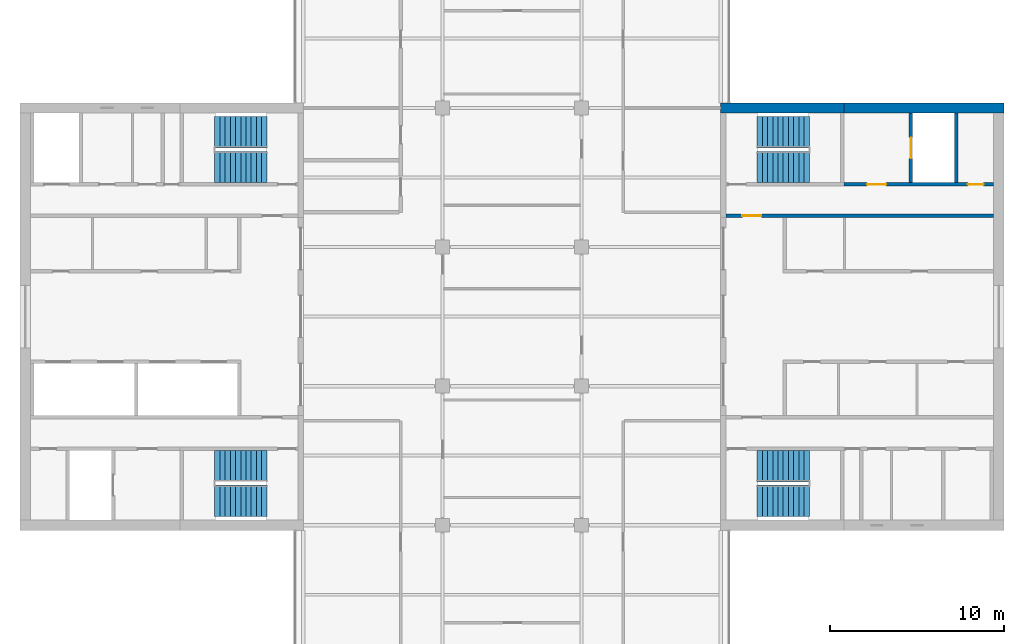
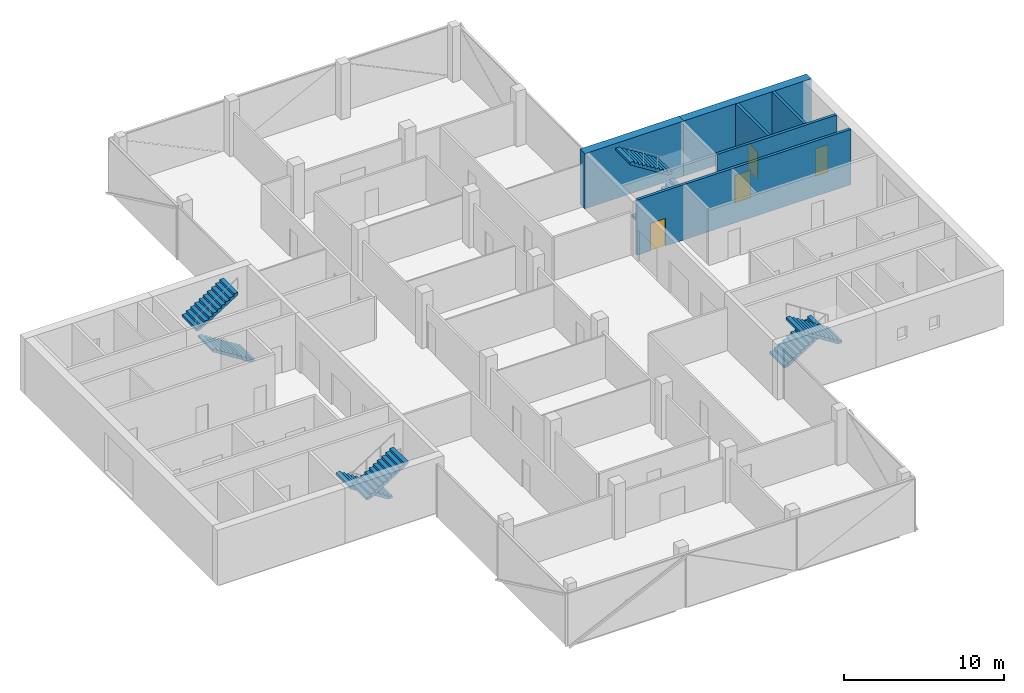
# One storey, part 12 of 15: 8 stair flights, 6 walls, 4 doors, 4 openings, 4 elements without a shape of their own.
"""IFC4 building model written with IfcOpenShell, lengths in metres."""

from ifc_helpers import new_model, si_unit, direction, frame, frame_2d, origin, place, context, subcontext, project, spatial, polyline, rectangle, outline, extrude, material, layer, layer_set, constituent, constituent_set, type_object, element, fill, aggregate, save


model = new_model("IFC4")

# Units and contexts
model_context = context("Model", 3, precision=1e-05, world=origin(), true_north=direction((0.0, 1.0)))
body_context = subcontext(model_context, "Body", "Model", "MODEL_VIEW")
ifc_project = project(units=[si_unit("LENGTHUNIT", "METRE"), si_unit("AREAUNIT", "SQUARE_METRE"), si_unit("VOLUMEUNIT", "CUBIC_METRE"), si_unit("PLANEANGLEUNIT", "RADIAN"), si_unit("MASSUNIT", "GRAM", prefix="KILO")], contexts=[model_context])

# Site, building, storey
site_placement = place(None, origin())
site = spatial("IfcSite", under=ifc_project, at=site_placement, CompositionType="ELEMENT")
building_placement = place(site_placement, origin())
building = spatial("IfcBuilding", under=site, at=building_placement, Name="Crosswind Convention Tower", CompositionType="ELEMENT")
storey_placement = place(building_placement, frame((0.0, 0.0, 233.5)))
storey = spatial("IfcBuildingStorey", under=building, at=storey_placement, Name="L50", CompositionType="ELEMENT", Elevation=233.5)

# Wall, opening, door
ifc_material_1 = material(Name="Concrete C50/60", Category="concrete")
ifc_layer = layer(ifc_material_1, 0.199951171875)
ifc_layer_set = layer_set([ifc_layer], Name="Concrete C50/60")
wall_type_1 = type_object("IfcWallType", Name="Concrete shaft and stair wall 200", PredefinedType="SHEAR", material=ifc_layer_set)
wall_1_placement = place(storey_placement, frame((137.300048828125, 105.800048828125, 0.0), z_axis=(0.0, 0.0, 1.0), x_axis=(1.0, 0.0, 0.0)))
wall_1 = element("IfcWall", 1, at=wall_1_placement, inside=storey, type_object=wall_type_1, Name="Wall HP E L50", PredefinedType="SHEAR", context=body_context, shape_type="SweptSolid", body=[
    extrude(rectangle(XDim=15.39990234375, YDim=0.199951171875, at=frame_2d((7.699951171875, 0.0))), origin(), (0.0, 0.0, 1.0), 4.199951171875),
])
opening_1_placement = place(wall_1_placement, frame((0.949951171875, 0.0, 0.0)))
opening_1 = element("IfcOpeningElement", 2, at=opening_1_placement, cuts=wall_1, Name="Opening D104", PredefinedType="OPENING", context=body_context, shape_type="SweptSolid", body=[
    extrude(rectangle(XDim=1.10009765625, YDim=2.10009765625, at=frame_2d((0.550048828125, 1.050048828125))), frame((0.0, 0.10986328125, 0.0), z_axis=(0.0, -1.0, 0.0), x_axis=(1.0, 0.0, 0.0)), (0.0, 0.0, 1.0), 0.219970703125),
])
ifc_material_2 = material(Name="Steel fire door", Category="steel")
door_type_1 = type_object("IfcDoorType", Name="Fire-rated single door 1100x2100", OperationType="NOTDEFINED", PredefinedType="DOOR", material=ifc_material_2)
door_1_placement = place(opening_1_placement, origin())
door_1 = element("IfcDoor", 3, at=door_1_placement, inside=storey, type_object=door_type_1, Name="Corridor door L50", ObjectType="D104", OperationType="SINGLE_SWING_LEFT", OverallHeight=2.10009765625, OverallWidth=1.10009765625, PredefinedType="DOOR", context=body_context, shape_type="SweptSolid", body=[
    extrude(rectangle(XDim=1.10009765625, YDim=2.10009765625, at=frame_2d((0.550048828125, 1.050048828125))), frame((0.0, 0.02490234375, 0.0), z_axis=(0.0, -1.0, 0.0), x_axis=(1.0, 0.0, 0.0)), (0.0, 0.0, 1.0), 0.050048828125),
])
fill(opening_1, door_1)

wall_2_placement = place(storey_placement, frame((147.949951171875, 107.699951171875, 0.0), z_axis=(0.0, 0.0, 1.0), x_axis=(0.0, 1.0, 0.0)))
wall_2 = element("IfcWall", 4, at=wall_2_placement, inside=storey, type_object=wall_type_1, Name="Wall PFLW E L50", PredefinedType="SHEAR", context=body_context, shape_type="SweptSolid", body=[
    extrude(rectangle(XDim=4.0, YDim=0.199951171875, at=frame_2d((2.0, 0.0))), origin(), (0.0, 0.0, 1.0), 4.199951171875),
])
opening_2_placement = place(wall_2_placement, frame((1.39990234375, 0.0, 0.0)))
opening_2 = element("IfcOpeningElement", 5, at=opening_2_placement, cuts=wall_2, Name="Opening LD1", PredefinedType="OPENING", context=body_context, shape_type="SweptSolid", body=[
    extrude(rectangle(XDim=1.199951171875, YDim=2.10009765625, at=frame_2d((0.60009765625, 1.050048828125))), frame((0.0, 0.10986328125, 0.0), z_axis=(0.0, -1.0, 0.0), x_axis=(1.0, 0.0, 0.0)), (0.0, 0.0, 1.0), 0.219970703125),
])
ifc_material_3 = material(Name="Stainless steel", Category="steel")
door_type_2 = type_object("IfcDoorType", Name="Lift landing door 1200x2100", OperationType="DOUBLE_DOOR_SLIDING", PredefinedType="DOOR", material=ifc_material_3)
door_2_placement = place(opening_2_placement, origin())
door_2 = element("IfcDoor", 6, at=door_2_placement, inside=storey, type_object=door_type_2, Name="Landing door FF1 L50", ObjectType="LD1", OperationType="DOUBLE_DOOR_SLIDING", OverallHeight=2.10009765625, OverallWidth=1.199951171875, PredefinedType="DOOR", context=body_context, shape_type="SweptSolid", body=[
    extrude(rectangle(XDim=1.199951171875, YDim=2.10009765625, at=frame_2d((0.60009765625, 1.050048828125))), frame((0.0, 0.02490234375, 0.0), z_axis=(0.0, -1.0, 0.0), x_axis=(1.0, 0.0, 0.0)), (0.0, 0.0, 1.0), 0.050048828125),
])
fill(opening_2, door_2)

# Wall
wall_3_placement = place(storey_placement, frame((150.550048828125, 107.699951171875, 0.0), z_axis=(0.0, 0.0, 1.0), x_axis=(0.0, 1.0, 0.0)))
element("IfcWall", 7, at=wall_3_placement, inside=storey, type_object=wall_type_1, Name="Wall PFSE E L50", PredefinedType="SHEAR", context=body_context, shape_type="SweptSolid", body=[
    extrude(rectangle(XDim=4.0, YDim=0.199951171875, at=frame_2d((2.0, 0.0))), origin(), (0.0, 0.0, 1.0), 4.199951171875),
])

# Wall, openings, doors
wall_4_placement = place(storey_placement, frame((144.10009765625, 107.60009765625, 0.0), z_axis=(0.0, 0.0, 1.0), x_axis=(1.0, 0.0, 0.0)))
wall_4 = element("IfcWall", 8, at=wall_4_placement, inside=storey, type_object=wall_type_1, Name="Wall PCX E L50", PredefinedType="SHEAR", context=body_context, shape_type="SweptSolid", body=[
    extrude(rectangle(XDim=8.599853515625, YDim=0.199951171875, at=frame_2d((4.2998046875, 0.0))), origin(), (0.0, 0.0, 1.0), 4.199951171875),
])
opening_3_placement = place(wall_4_placement, frame((1.324951171875, 0.0, 0.0)))
opening_3 = element("IfcOpeningElement", 9, at=opening_3_placement, cuts=wall_4, Name="Opening D104", PredefinedType="OPENING", context=body_context, shape_type="SweptSolid", body=[
    extrude(rectangle(XDim=1.10009765625, YDim=2.10009765625, at=frame_2d((0.550048828125, 1.050048828125))), frame((0.0, 0.10986328125, 0.0), z_axis=(0.0, -1.0, 0.0), x_axis=(1.0, 0.0, 0.0)), (0.0, 0.0, 1.0), 0.219970703125),
])
opening_4_placement = place(wall_4_placement, frame((7.125, 0.0, 0.0)))
opening_4 = element("IfcOpeningElement", 10, at=opening_4_placement, cuts=wall_4, Name="Opening D106", PredefinedType="OPENING", context=body_context, shape_type="SweptSolid", body=[
    extrude(rectangle(XDim=0.89990234375, YDim=2.10009765625, at=frame_2d((0.449951171875, 1.050048828125))), frame((0.0, 0.10986328125, 0.0), z_axis=(0.0, -1.0, 0.0), x_axis=(1.0, 0.0, 0.0)), (0.0, 0.0, 1.0), 0.219970703125),
])
door_3_placement = place(opening_3_placement, origin())
door_3 = element("IfcDoor", 11, at=door_3_placement, inside=storey, type_object=door_type_1, Name="Fire-fighting lobby FF1 door L50", ObjectType="D104", OperationType="SINGLE_SWING_RIGHT", OverallHeight=2.10009765625, OverallWidth=1.10009765625, PredefinedType="DOOR", context=body_context, shape_type="SweptSolid", body=[
    extrude(rectangle(XDim=1.10009765625, YDim=2.10009765625, at=frame_2d((0.550048828125, 1.050048828125))), frame((0.0, 0.02490234375, 0.0), z_axis=(0.0, -1.0, 0.0), x_axis=(1.0, 0.0, 0.0)), (0.0, 0.0, 1.0), 0.050048828125),
])
fill(opening_3, door_3)
ifc_material_4 = material(Name="Timber door", Category="wood")
door_type_3 = type_object("IfcDoorType", Name="Single leaf door 900x2100", OperationType="NOTDEFINED", PredefinedType="DOOR", material=ifc_material_4)
door_4_placement = place(opening_4_placement, origin())
door_4 = element("IfcDoor", 12, at=door_4_placement, inside=storey, type_object=door_type_3, Name="Door to comms room L50", ObjectType="D106", OperationType="SINGLE_SWING_RIGHT", OverallHeight=2.10009765625, OverallWidth=0.89990234375, PredefinedType="DOOR", context=body_context, shape_type="SweptSolid", body=[
    extrude(rectangle(XDim=0.89990234375, YDim=2.10009765625, at=frame_2d((0.449951171875, 1.050048828125))), frame((0.0, 0.02490234375, 0.0), z_axis=(0.0, -1.0, 0.0), x_axis=(1.0, 0.0, 0.0)), (0.0, 0.0, 1.0), 0.050048828125),
])
fill(opening_4, door_4)

# Walls
ifc_material_5 = material(Name="Concrete C60/75", Category="concrete")
ifc_constituent_1 = constituent(ifc_material_5, Name="Structure")
ifc_material_6 = material(Name="Terracotta rainscreen", Category="ceramic")
ifc_constituent_2 = constituent(ifc_material_6, Name="Facing")
ifc_constituent_set = constituent_set(constituents=[ifc_constituent_1, ifc_constituent_2], Name="Concrete C60/75, Terracotta rainscreen")
wall_type_2 = type_object("IfcWallType", Name="Terracotta rainscreen on concrete core wall 600", PredefinedType="SHEAR", material=ifc_constituent_set)
wall_5_placement = place(storey_placement, frame((137.0, 112.0, 0.0), z_axis=(0.0, 0.0, 1.0), x_axis=(1.0, 0.0, 0.0)))
element("IfcWall", 13, at=wall_5_placement, inside=storey, type_object=wall_type_2, Name="Wall N1 E L50", PredefinedType="SHEAR", context=body_context, shape_type="SweptSolid", body=[
    extrude(rectangle(XDim=7.10009765625, YDim=0.60009765625, at=frame_2d((3.550048828125, 0.0))), origin(), (0.0, 0.0, 1.0), 4.199951171875),
])
wall_6_placement = place(storey_placement, frame((144.10009765625, 112.0, 0.0), z_axis=(0.0, 0.0, 1.0), x_axis=(1.0, 0.0, 0.0)))
element("IfcWall", 14, at=wall_6_placement, inside=storey, type_object=wall_type_2, Name="Wall N2 E L50", PredefinedType="SHEAR", context=body_context, shape_type="SweptSolid", body=[
    extrude(rectangle(XDim=9.199951171875, YDim=0.60009765625, at=frame_2d((4.60009765625, 0.0))), origin(), (0.0, 0.0, 1.0), 4.199951171875),
])

# Stair, stair flights
ifc_material_7 = material(Name="Concrete C40/50", Category="concrete")
stair_type = type_object("IfcStairType", Name="Exit stair 1800 wide, 2 flights of 11 risers", PredefinedType="HALF_TURN_STAIR", material=ifc_material_7)
stair_1_placement = place(storey_placement, origin())
stair_1 = element("IfcStair", 15, at=stair_1_placement, inside=storey, type_object=stair_type, Name="Exit stair ST1 L50", ObjectType="ST5", PredefinedType="HALF_TURN_STAIR")
stair_flight_type = type_object("IfcStairFlightType", Name="Stair flight 1800 wide, 11 risers (SF4)", PredefinedType="STRAIGHT", material=ifc_material_7)
stair_flight_1_placement = place(storey_placement, frame((139.10009765625, 108.60009765625, 0.0), z_axis=(0.0, 0.0, 1.0), x_axis=(1.0, 0.0, 0.0)))
stair_flight_1 = element("IfcStairFlight", 16, at=stair_flight_1_placement, type_object=stair_flight_type, Name="ST1 flight 1", NumberOfRisers=11, NumberOfTreads=10, PredefinedType="STRAIGHT", RiserHeight=0.190909091, TreadLength=0.3, context=body_context, shape_type="SweptSolid", body=[
    extrude(outline(polyline([(0.0, 0.0), (0.0, 0.19091796875), (0.300048828125, 0.19091796875), (0.300048828125, 0.3818359375), (0.60009765625, 0.3818359375), (0.60009765625, 0.57275390625), (0.89990234375, 0.57275390625), (0.89990234375, 0.763671875), (1.199951171875, 0.763671875), (1.199951171875, 0.95458984375), (1.5, 0.95458984375), (1.5, 1.1455078125), (1.800048828125, 1.1455078125), (1.800048828125, 1.33642578125), (2.10009765625, 1.33642578125), (2.10009765625, 1.52734375), (2.39990234375, 1.52734375), (2.39990234375, 1.71826171875), (2.699951171875, 1.71826171875), (2.699951171875, 1.9091796875), (3.0, 1.9091796875), (3.0, 2.10009765625), (3.0, 1.7314453125), (0.279296875, 0.0), (0.0, 0.0)])), frame((0.0, 0.89990234375, 0.0), z_axis=(0.0, -1.0, 0.0), x_axis=(1.0, 0.0, 0.0)), (0.0, 0.0, 1.0), 1.800048828125),
])
stair_flight_2_placement = place(storey_placement, frame((142.10009765625, 110.60009765625, 2.10009765625), z_axis=(0.0, 0.0, 1.0), x_axis=(-1.0, 0.0, 0.0)))
stair_flight_2 = element("IfcStairFlight", 17, at=stair_flight_2_placement, type_object=stair_flight_type, Name="ST1 flight 2", NumberOfRisers=11, NumberOfTreads=10, PredefinedType="STRAIGHT", RiserHeight=0.190909091, TreadLength=0.3, context=body_context, shape_type="SweptSolid", body=[
    extrude(outline(polyline([(0.0, 0.0), (0.0, 0.19091796875), (0.300048828125, 0.19091796875), (0.300048828125, 0.3818359375), (0.60009765625, 0.3818359375), (0.60009765625, 0.57275390625), (0.89990234375, 0.57275390625), (0.89990234375, 0.763671875), (1.199951171875, 0.763671875), (1.199951171875, 0.95458984375), (1.5, 0.95458984375), (1.5, 1.1455078125), (1.800048828125, 1.1455078125), (1.800048828125, 1.33642578125), (2.10009765625, 1.33642578125), (2.10009765625, 1.52734375), (2.39990234375, 1.52734375), (2.39990234375, 1.71826171875), (2.699951171875, 1.71826171875), (2.699951171875, 1.9091796875), (3.0, 1.9091796875), (3.0, 2.10009765625), (3.0, 1.7314453125), (0.279296875, 0.0), (0.0, 0.0)])), frame((0.0, 0.89990234375, 0.0), z_axis=(0.0, -1.0, 0.0), x_axis=(1.0, 0.0, 0.0)), (0.0, 0.0, 1.0), 1.800048828125),
])
aggregate(stair_1, [stair_flight_1, stair_flight_2])

stair_2_placement = place(storey_placement, origin())
stair_2 = element("IfcStair", 18, at=stair_2_placement, inside=storey, type_object=stair_type, Name="Exit stair ST2 L50", ObjectType="ST5", PredefinedType="HALF_TURN_STAIR")
stair_flight_3_placement = place(storey_placement, frame((139.10009765625, 91.39990234375, 0.0), z_axis=(0.0, 0.0, 1.0), x_axis=(1.0, 0.0, 0.0)))
stair_flight_3 = element("IfcStairFlight", 19, at=stair_flight_3_placement, type_object=stair_flight_type, Name="ST2 flight 1", NumberOfRisers=11, NumberOfTreads=10, PredefinedType="STRAIGHT", RiserHeight=0.190909091, TreadLength=0.3, context=body_context, shape_type="SweptSolid", body=[
    extrude(outline(polyline([(0.0, 0.0), (0.0, 0.19091796875), (0.300048828125, 0.19091796875), (0.300048828125, 0.3818359375), (0.60009765625, 0.3818359375), (0.60009765625, 0.57275390625), (0.89990234375, 0.57275390625), (0.89990234375, 0.763671875), (1.199951171875, 0.763671875), (1.199951171875, 0.95458984375), (1.5, 0.95458984375), (1.5, 1.1455078125), (1.800048828125, 1.1455078125), (1.800048828125, 1.33642578125), (2.10009765625, 1.33642578125), (2.10009765625, 1.52734375), (2.39990234375, 1.52734375), (2.39990234375, 1.71826171875), (2.699951171875, 1.71826171875), (2.699951171875, 1.9091796875), (3.0, 1.9091796875), (3.0, 2.10009765625), (3.0, 1.7314453125), (0.279296875, 0.0), (0.0, 0.0)])), frame((0.0, 0.89990234375, 0.0), z_axis=(0.0, -1.0, 0.0), x_axis=(1.0, 0.0, 0.0)), (0.0, 0.0, 1.0), 1.800048828125),
])
stair_flight_4_placement = place(storey_placement, frame((142.10009765625, 89.39990234375, 2.10009765625), z_axis=(0.0, 0.0, 1.0), x_axis=(-1.0, 0.0, 0.0)))
stair_flight_4 = element("IfcStairFlight", 20, at=stair_flight_4_placement, type_object=stair_flight_type, Name="ST2 flight 2", NumberOfRisers=11, NumberOfTreads=10, PredefinedType="STRAIGHT", RiserHeight=0.190909091, TreadLength=0.3, context=body_context, shape_type="SweptSolid", body=[
    extrude(outline(polyline([(0.0, 0.0), (0.0, 0.19091796875), (0.300048828125, 0.19091796875), (0.300048828125, 0.3818359375), (0.60009765625, 0.3818359375), (0.60009765625, 0.57275390625), (0.89990234375, 0.57275390625), (0.89990234375, 0.763671875), (1.199951171875, 0.763671875), (1.199951171875, 0.95458984375), (1.5, 0.95458984375), (1.5, 1.1455078125), (1.800048828125, 1.1455078125), (1.800048828125, 1.33642578125), (2.10009765625, 1.33642578125), (2.10009765625, 1.52734375), (2.39990234375, 1.52734375), (2.39990234375, 1.71826171875), (2.699951171875, 1.71826171875), (2.699951171875, 1.9091796875), (3.0, 1.9091796875), (3.0, 2.10009765625), (3.0, 1.7314453125), (0.279296875, 0.0), (0.0, 0.0)])), frame((0.0, 0.89990234375, 0.0), z_axis=(0.0, -1.0, 0.0), x_axis=(1.0, 0.0, 0.0)), (0.0, 0.0, 1.0), 1.800048828125),
])
aggregate(stair_2, [stair_flight_3, stair_flight_4])

stair_3_placement = place(storey_placement, origin())
stair_3 = element("IfcStair", 21, at=stair_3_placement, inside=storey, type_object=stair_type, Name="Exit stair ST3 L50", ObjectType="ST5", PredefinedType="HALF_TURN_STAIR")
stair_flight_5_placement = place(storey_placement, frame((110.89990234375, 91.39990234375, 0.0), z_axis=(0.0, 0.0, 1.0), x_axis=(-1.0, 0.0, 0.0)))
stair_flight_5 = element("IfcStairFlight", 22, at=stair_flight_5_placement, type_object=stair_flight_type, Name="ST3 flight 1", NumberOfRisers=11, NumberOfTreads=10, PredefinedType="STRAIGHT", RiserHeight=0.190909091, TreadLength=0.3, context=body_context, shape_type="SweptSolid", body=[
    extrude(outline(polyline([(0.0, 0.0), (0.0, 0.19091796875), (0.300048828125, 0.19091796875), (0.300048828125, 0.3818359375), (0.60009765625, 0.3818359375), (0.60009765625, 0.57275390625), (0.89990234375, 0.57275390625), (0.89990234375, 0.763671875), (1.199951171875, 0.763671875), (1.199951171875, 0.95458984375), (1.5, 0.95458984375), (1.5, 1.1455078125), (1.800048828125, 1.1455078125), (1.800048828125, 1.33642578125), (2.10009765625, 1.33642578125), (2.10009765625, 1.52734375), (2.39990234375, 1.52734375), (2.39990234375, 1.71826171875), (2.699951171875, 1.71826171875), (2.699951171875, 1.9091796875), (3.0, 1.9091796875), (3.0, 2.10009765625), (3.0, 1.7314453125), (0.279296875, 0.0), (0.0, 0.0)])), frame((0.0, 0.89990234375, 0.0), z_axis=(0.0, -1.0, 0.0), x_axis=(1.0, 0.0, 0.0)), (0.0, 0.0, 1.0), 1.800048828125),
])
stair_flight_6_placement = place(storey_placement, frame((107.89990234375, 89.39990234375, 2.10009765625), z_axis=(0.0, 0.0, 1.0), x_axis=(1.0, 0.0, 0.0)))
stair_flight_6 = element("IfcStairFlight", 23, at=stair_flight_6_placement, type_object=stair_flight_type, Name="ST3 flight 2", NumberOfRisers=11, NumberOfTreads=10, PredefinedType="STRAIGHT", RiserHeight=0.190909091, TreadLength=0.3, context=body_context, shape_type="SweptSolid", body=[
    extrude(outline(polyline([(0.0, 0.0), (0.0, 0.19091796875), (0.300048828125, 0.19091796875), (0.300048828125, 0.3818359375), (0.60009765625, 0.3818359375), (0.60009765625, 0.57275390625), (0.89990234375, 0.57275390625), (0.89990234375, 0.763671875), (1.199951171875, 0.763671875), (1.199951171875, 0.95458984375), (1.5, 0.95458984375), (1.5, 1.1455078125), (1.800048828125, 1.1455078125), (1.800048828125, 1.33642578125), (2.10009765625, 1.33642578125), (2.10009765625, 1.52734375), (2.39990234375, 1.52734375), (2.39990234375, 1.71826171875), (2.699951171875, 1.71826171875), (2.699951171875, 1.9091796875), (3.0, 1.9091796875), (3.0, 2.10009765625), (3.0, 1.7314453125), (0.279296875, 0.0), (0.0, 0.0)])), frame((0.0, 0.89990234375, 0.0), z_axis=(0.0, -1.0, 0.0), x_axis=(1.0, 0.0, 0.0)), (0.0, 0.0, 1.0), 1.800048828125),
])
aggregate(stair_3, [stair_flight_5, stair_flight_6])

stair_4_placement = place(storey_placement, origin())
stair_4 = element("IfcStair", 24, at=stair_4_placement, inside=storey, type_object=stair_type, Name="Exit stair ST4 L50", ObjectType="ST5", PredefinedType="HALF_TURN_STAIR")
stair_flight_7_placement = place(storey_placement, frame((110.89990234375, 108.60009765625, 0.0), z_axis=(0.0, 0.0, 1.0), x_axis=(-1.0, 0.0, 0.0)))
stair_flight_7 = element("IfcStairFlight", 25, at=stair_flight_7_placement, type_object=stair_flight_type, Name="ST4 flight 1", NumberOfRisers=11, NumberOfTreads=10, PredefinedType="STRAIGHT", RiserHeight=0.190909091, TreadLength=0.3, context=body_context, shape_type="SweptSolid", body=[
    extrude(outline(polyline([(0.0, 0.0), (0.0, 0.19091796875), (0.300048828125, 0.19091796875), (0.300048828125, 0.3818359375), (0.60009765625, 0.3818359375), (0.60009765625, 0.57275390625), (0.89990234375, 0.57275390625), (0.89990234375, 0.763671875), (1.199951171875, 0.763671875), (1.199951171875, 0.95458984375), (1.5, 0.95458984375), (1.5, 1.1455078125), (1.800048828125, 1.1455078125), (1.800048828125, 1.33642578125), (2.10009765625, 1.33642578125), (2.10009765625, 1.52734375), (2.39990234375, 1.52734375), (2.39990234375, 1.71826171875), (2.699951171875, 1.71826171875), (2.699951171875, 1.9091796875), (3.0, 1.9091796875), (3.0, 2.10009765625), (3.0, 1.7314453125), (0.279296875, 0.0), (0.0, 0.0)])), frame((0.0, 0.89990234375, 0.0), z_axis=(0.0, -1.0, 0.0), x_axis=(1.0, 0.0, 0.0)), (0.0, 0.0, 1.0), 1.800048828125),
])
stair_flight_8_placement = place(storey_placement, frame((107.89990234375, 110.60009765625, 2.10009765625), z_axis=(0.0, 0.0, 1.0), x_axis=(1.0, 0.0, 0.0)))
stair_flight_8 = element("IfcStairFlight", 26, at=stair_flight_8_placement, type_object=stair_flight_type, Name="ST4 flight 2", NumberOfRisers=11, NumberOfTreads=10, PredefinedType="STRAIGHT", RiserHeight=0.190909091, TreadLength=0.3, context=body_context, shape_type="SweptSolid", body=[
    extrude(outline(polyline([(0.0, 0.0), (0.0, 0.19091796875), (0.300048828125, 0.19091796875), (0.300048828125, 0.3818359375), (0.60009765625, 0.3818359375), (0.60009765625, 0.57275390625), (0.89990234375, 0.57275390625), (0.89990234375, 0.763671875), (1.199951171875, 0.763671875), (1.199951171875, 0.95458984375), (1.5, 0.95458984375), (1.5, 1.1455078125), (1.800048828125, 1.1455078125), (1.800048828125, 1.33642578125), (2.10009765625, 1.33642578125), (2.10009765625, 1.52734375), (2.39990234375, 1.52734375), (2.39990234375, 1.71826171875), (2.699951171875, 1.71826171875), (2.699951171875, 1.9091796875), (3.0, 1.9091796875), (3.0, 2.10009765625), (3.0, 1.7314453125), (0.279296875, 0.0), (0.0, 0.0)])), frame((0.0, 0.89990234375, 0.0), z_axis=(0.0, -1.0, 0.0), x_axis=(1.0, 0.0, 0.0)), (0.0, 0.0, 1.0), 1.800048828125),
])
aggregate(stair_4, [stair_flight_7, stair_flight_8])

save(model, "model.ifc")
